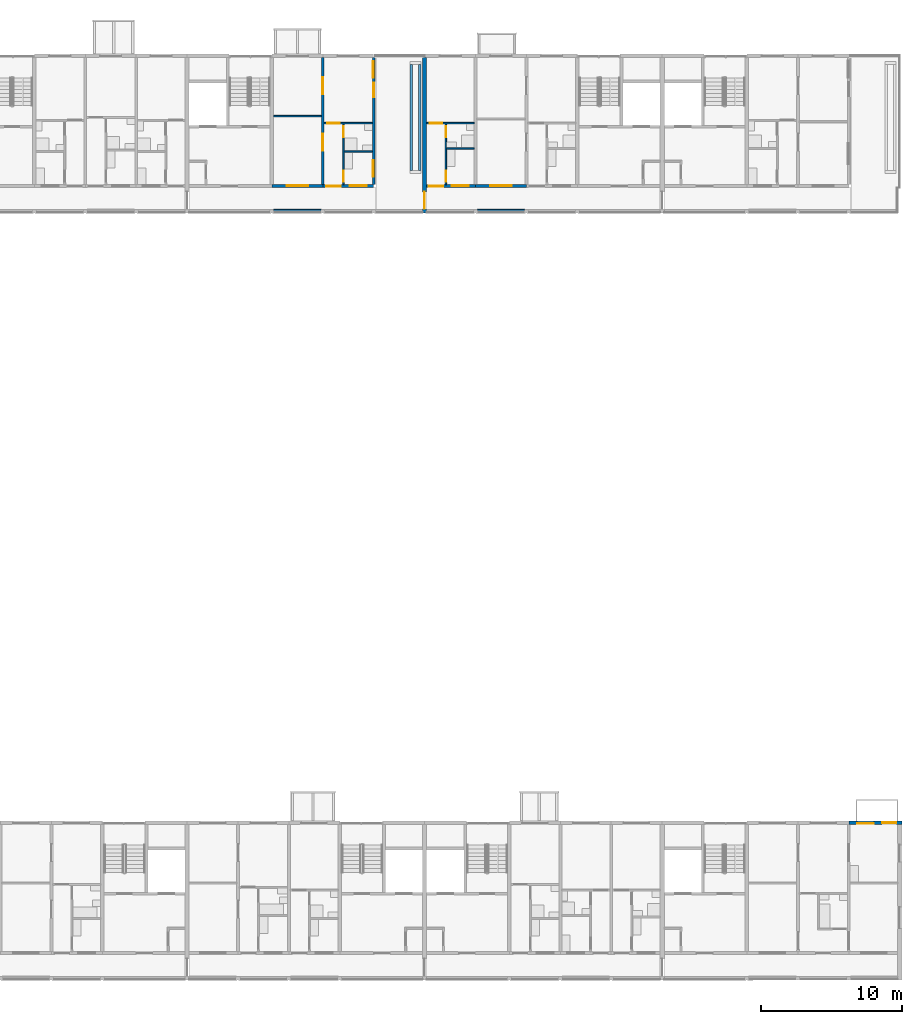
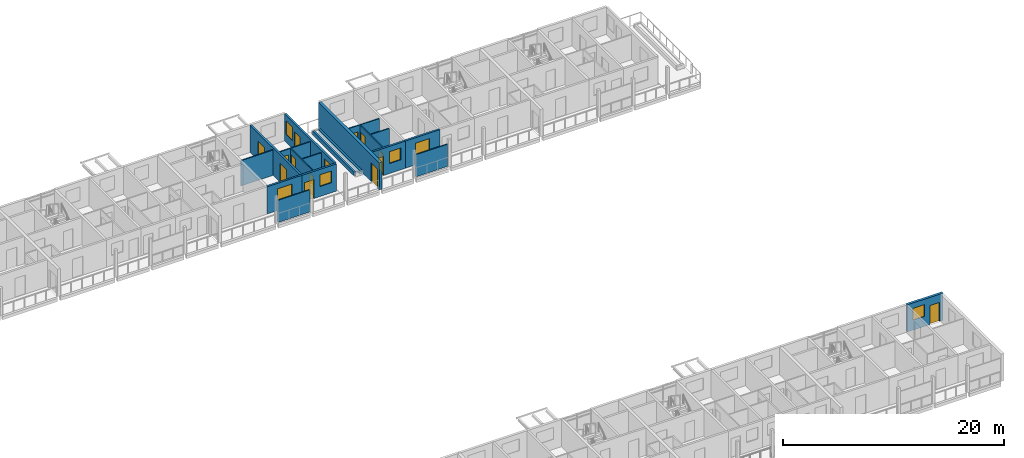
# One storey, part 54 of 94: 19 walls, 13 doors, 7 windows, 20 openings.
"""IFC4 building model written with IfcOpenShell, lengths in metres."""

from ifc_helpers import new_model, si_unit, direction, frame, frame_2d, origin, place, context, subcontext, project, spatial, rectangle, extrude, material, layer, layer_set, type_object, element, fill, save


model = new_model("IFC4")

# Units and contexts
model_context = context("Model", 3, precision=1e-05, world=origin(), true_north=direction((0.0, 1.0)))
body_context = subcontext(model_context, "Body", "Model", "MODEL_VIEW")
ifc_project = project(units=[si_unit("LENGTHUNIT", "METRE"), si_unit("AREAUNIT", "SQUARE_METRE"), si_unit("VOLUMEUNIT", "CUBIC_METRE"), si_unit("PLANEANGLEUNIT", "RADIAN"), si_unit("MASSUNIT", "GRAM", prefix="KILO")], contexts=[model_context])

# Site, building, storey
site_placement = place(None, origin())
site = spatial("IfcSite", under=ifc_project, at=site_placement, CompositionType="ELEMENT")
building_placement = place(site_placement, origin())
building = spatial("IfcBuilding", under=site, at=building_placement, Name="Ridgestep Commons", CompositionType="ELEMENT")
storey_placement = place(building_placement, frame((0.0, 0.0, 21.0)))
storey = spatial("IfcBuildingStorey", under=building, at=storey_placement, Name="L07", CompositionType="ELEMENT", Elevation=21.0)

# Wall, openings, doors
ifc_material_1 = material(Name="Precast concrete C40/50", Category="concrete")
ifc_layer_1 = layer(ifc_material_1, 0.199951171875)
ifc_layer_set_1 = layer_set([ifc_layer_1], Name="Cross wall 200")
wall_type_1 = type_object("IfcWallType", Name="Cross wall 200", PredefinedType="SHEAR", material=ifc_layer_set_1)
wall_1_placement = place(storey_placement, frame((206.800048828125, 68.0, 0.0), z_axis=(0.0, 0.0, 1.0), x_axis=(0.0, 1.0, 0.0)))
wall_1 = element("IfcWall", 1, at=wall_1_placement, inside=storey, type_object=wall_type_1, Name="Cross wall C-07-2068", PredefinedType="SHEAR", context=body_context, shape_type="SweptSolid", body=[
    extrude(rectangle(XDim=9.0, YDim=0.199951171875, at=frame_2d((4.5, 0.0))), origin(), (0.0, 0.0, 1.0), 3.0),
])
opening_1_placement = place(wall_1_placement, frame((2.39990234375, 0.0, 0.0)))
opening_1 = element("IfcOpeningElement", 2, at=opening_1_placement, cuts=wall_1, Name="Opening C4-07a/5", PredefinedType="OPENING", context=body_context, shape_type="SweptSolid", body=[
    extrude(rectangle(XDim=1.199951171875, YDim=2.10009765625, at=frame_2d((0.60009765625, 1.050048828125))), frame((0.0, 0.10986328125, 0.0), z_axis=(0.0, -1.0, 0.0), x_axis=(1.0, 0.0, 0.0)), (0.0, 0.0, 1.0), 0.219970703125),
])
opening_2_placement = place(wall_1_placement, frame((6.39990234375, 0.0, 0.0)))
opening_2 = element("IfcOpeningElement", 3, at=opening_2_placement, cuts=wall_1, Name="Opening C4-07a/6", PredefinedType="OPENING", context=body_context, shape_type="SweptSolid", body=[
    extrude(rectangle(XDim=1.199951171875, YDim=2.10009765625, at=frame_2d((0.60009765625, 1.050048828125))), frame((0.0, 0.10986328125, 0.0), z_axis=(0.0, -1.0, 0.0), x_axis=(1.0, 0.0, 0.0)), (0.0, 0.0, 1.0), 0.219970703125),
])
ifc_material_2 = material(Name="Timber door leaf", Category="wood")
door_type_1 = type_object("IfcDoorType", Name="Double door 1200 x 2100", OperationType="DOUBLE_DOOR_SINGLE_SWING", PredefinedType="DOOR", material=ifc_material_2)
door_1_placement = place(opening_1_placement, origin())
door_1 = element("IfcDoor", 4, at=door_1_placement, inside=storey, type_object=door_type_1, Name="Double door C4-07a/5", OperationType="DOUBLE_DOOR_SINGLE_SWING", OverallHeight=2.10009765625, OverallWidth=1.199951171875, PredefinedType="DOOR", context=body_context, shape_type="SweptSolid", body=[
    extrude(rectangle(XDim=1.199951171875, YDim=2.10009765625, at=frame_2d((0.60009765625, 1.050048828125))), frame((0.0, 0.02490234375, 0.0), z_axis=(0.0, -1.0, 0.0), x_axis=(1.0, 0.0, 0.0)), (0.0, 0.0, 1.0), 0.050048828125),
])
fill(opening_1, door_1)
door_2_placement = place(opening_2_placement, origin())
door_2 = element("IfcDoor", 5, at=door_2_placement, inside=storey, type_object=door_type_1, Name="Double door C4-07a/6", OperationType="DOUBLE_DOOR_SINGLE_SWING", OverallHeight=2.10009765625, OverallWidth=1.199951171875, PredefinedType="DOOR", context=body_context, shape_type="SweptSolid", body=[
    extrude(rectangle(XDim=1.199951171875, YDim=2.10009765625, at=frame_2d((0.60009765625, 1.050048828125))), frame((0.0, 0.02490234375, 0.0), z_axis=(0.0, -1.0, 0.0), x_axis=(1.0, 0.0, 0.0)), (0.0, 0.0, 1.0), 0.050048828125),
])
fill(opening_2, door_2)

# Wall, openings, windows, door
ifc_material_3 = material(Name="Precast concrete C40/50", Category="concrete")
ifc_layer_2 = layer(ifc_material_3, 0.199951171875)
ifc_layer_set_2 = layer_set([ifc_layer_2], Name="Exposed cross wall 200")
wall_type_2 = type_object("IfcWallType", Name="Exposed cross wall 200", PredefinedType="SHEAR", material=ifc_layer_set_2)
wall_2_placement = place(storey_placement, frame((210.39990234375, 68.0, 0.0), z_axis=(0.0, 0.0, 1.0), x_axis=(0.0, 1.0, 0.0)))
wall_2 = element("IfcWall", 6, at=wall_2_placement, inside=storey, type_object=wall_type_2, Name="Cross wall C-07-2104", PredefinedType="SHEAR", context=body_context, shape_type="SweptSolid", body=[
    extrude(rectangle(XDim=9.0, YDim=0.199951171875, at=frame_2d((4.5, 0.0))), origin(), (0.0, 0.0, 1.0), 3.0),
])
opening_3_placement = place(wall_2_placement, frame((0.550048828125, 0.0, 0.89990234375)))
opening_3 = element("IfcOpeningElement", 7, at=opening_3_placement, cuts=wall_2, Name="Opening W10", PredefinedType="OPENING", context=body_context, shape_type="SweptSolid", body=[
    extrude(rectangle(XDim=1.199951171875, YDim=1.5, at=frame_2d((0.60009765625, 0.75))), frame((0.0, 0.10986328125, 0.0), z_axis=(0.0, -1.0, 0.0), x_axis=(1.0, 0.0, 0.0)), (0.0, 0.0, 1.0), 0.219970703125),
])
opening_4_placement = place(wall_2_placement, frame((7.552490234375, 0.0, 0.89990234375)))
opening_4 = element("IfcOpeningElement", 8, at=opening_4_placement, cuts=wall_2, Name="Opening W10", PredefinedType="OPENING", context=body_context, shape_type="SweptSolid", body=[
    extrude(rectangle(XDim=1.199951171875, YDim=1.5, at=frame_2d((0.60009765625, 0.75))), frame((0.0, 0.10986328125, 0.0), z_axis=(0.0, -1.0, 0.0), x_axis=(1.0, 0.0, 0.0)), (0.0, 0.0, 1.0), 0.219970703125),
])
opening_5_placement = place(wall_2_placement, frame((6.205078125, 0.0, 0.0)))
opening_5 = element("IfcOpeningElement", 9, at=opening_5_placement, cuts=wall_2, Name="Opening C4-07a/7", PredefinedType="OPENING", context=body_context, shape_type="SweptSolid", body=[
    extrude(rectangle(XDim=1.0, YDim=2.10009765625, at=frame_2d((0.5, 1.050048828125))), frame((0.0, 0.10986328125, 0.0), z_axis=(0.0, -1.0, 0.0), x_axis=(1.0, 0.0, 0.0)), (0.0, 0.0, 1.0), 0.219970703125),
])
ifc_material_4 = material(Name="Aluminium 6063-T6 and glass", Category="aluminium")
window_type_1 = type_object("IfcWindowType", Name="Flat window 1200 x 1500", PartitioningType="SINGLE_PANEL", PredefinedType="WINDOW", material=ifc_material_4)
window_1_placement = place(opening_3_placement, origin())
window_1 = element("IfcWindow", 10, at=window_1_placement, inside=storey, type_object=window_type_1, Name="Window C4-07a 5", OverallHeight=1.5, OverallWidth=1.199951171875, PartitioningType="SINGLE_PANEL", PredefinedType="WINDOW", context=body_context, shape_type="SweptSolid", body=[
    extrude(rectangle(XDim=1.199951171875, YDim=1.5, at=frame_2d((0.60009765625, 0.75))), frame((0.0, 0.06005859375, 0.0), z_axis=(0.0, -1.0, 0.0), x_axis=(1.0, 0.0, 0.0)), (0.0, 0.0, 1.0), 0.06005859375),
])
fill(opening_3, window_1)
window_2_placement = place(opening_4_placement, origin())
window_2 = element("IfcWindow", 11, at=window_2_placement, inside=storey, type_object=window_type_1, Name="Window C4-07a 6", OverallHeight=1.5, OverallWidth=1.199951171875, PartitioningType="SINGLE_PANEL", PredefinedType="WINDOW", context=body_context, shape_type="SweptSolid", body=[
    extrude(rectangle(XDim=1.199951171875, YDim=1.5, at=frame_2d((0.60009765625, 0.75))), frame((0.0, 0.06005859375, 0.0), z_axis=(0.0, -1.0, 0.0), x_axis=(1.0, 0.0, 0.0)), (0.0, 0.0, 1.0), 0.06005859375),
])
fill(opening_4, window_2)
ifc_material_5 = material(Name="Aluminium and glass", Category="aluminium")
door_type_2 = type_object("IfcDoorType", Name="Terrace door 1000 x 2100", OperationType="NOTDEFINED", PredefinedType="DOOR", material=ifc_material_5)
door_3_placement = place(opening_5_placement, origin())
door_3 = element("IfcDoor", 12, at=door_3_placement, inside=storey, type_object=door_type_2, Name="Terrace door C4-07a/7", OperationType="SINGLE_SWING_LEFT", OverallHeight=2.10009765625, OverallWidth=1.0, PredefinedType="DOOR", context=body_context, shape_type="SweptSolid", body=[
    extrude(rectangle(XDim=1.0, YDim=2.10009765625, at=frame_2d((0.5, 1.050048828125))), frame((0.0, 0.02490234375, 0.0), z_axis=(0.0, -1.0, 0.0), x_axis=(1.0, 0.0, 0.0)), (0.0, 0.0, 1.0), 0.050048828125),
])
fill(opening_5, door_3)

# Wall, opening, door
ifc_material_6 = material(Name="Precast concrete C40/50", Category="concrete")
ifc_layer_3 = layer(ifc_material_6, 0.300048828125)
ifc_layer_set_3 = layer_set([ifc_layer_3], Name="Exposed division wall 300")
wall_type_3 = type_object("IfcWallType", Name="Exposed division wall 300", PredefinedType="SHEAR", material=ifc_layer_set_3)
wall_3_placement = place(storey_placement, frame((214.0, 66.0, 0.0), z_axis=(0.0, 0.0, 1.0), x_axis=(0.0, 1.0, 0.0)))
wall_3 = element("IfcWall", 13, at=wall_3_placement, inside=storey, type_object=wall_type_3, Name="Cross wall C-07-2140", PredefinedType="SHEAR", context=body_context, shape_type="SweptSolid", body=[
    extrude(rectangle(XDim=11.0, YDim=0.300048828125, at=frame_2d((5.5, 0.0))), origin(), (0.0, 0.0, 1.0), 3.0),
])
opening_6_placement = place(wall_3_placement, frame((0.300048828125, 0.0, 0.0)))
opening_6 = element("IfcOpeningElement", 14, at=opening_6_placement, cuts=wall_3, Name="Opening C/07/G2140", PredefinedType="OPENING", context=body_context, shape_type="SweptSolid", body=[
    extrude(rectangle(XDim=1.199951171875, YDim=2.10009765625, at=frame_2d((0.60009765625, 1.050048828125))), frame((0.0, 0.159912109375, 0.0), z_axis=(0.0, -1.0, 0.0), x_axis=(1.0, 0.0, 0.0)), (0.0, 0.0, 1.0), 0.320068359375),
])
ifc_material_7 = material(Name="Steel fire door", Category="steel")
door_type_3 = type_object("IfcDoorType", Name="Division fire door 1200 x 2100 EI 240", OperationType="DOUBLE_DOOR_SINGLE_SWING", PredefinedType="DOOR", material=ifc_material_7)
door_4_placement = place(opening_6_placement, origin())
door_4 = element("IfcDoor", 15, at=door_4_placement, inside=storey, type_object=door_type_3, Name="Division fire door C/07/G2140", OperationType="DOUBLE_DOOR_SINGLE_SWING", OverallHeight=2.10009765625, OverallWidth=1.199951171875, PredefinedType="DOOR", context=body_context, shape_type="SweptSolid", body=[
    extrude(rectangle(XDim=1.199951171875, YDim=2.10009765625, at=frame_2d((0.60009765625, 1.050048828125))), frame((0.0, 0.02490234375, 0.0), z_axis=(0.0, -1.0, 0.0), x_axis=(1.0, 0.0, 0.0)), (0.0, 0.0, 1.0), 0.050048828125),
])
fill(opening_6, door_4)

# Wall, openings, door, window
ifc_material_8 = material(Name="Precast concrete C40/50", Category="concrete")
ifc_layer_4 = layer(ifc_material_8, 0.25)
ifc_layer_set_4 = layer_set([ifc_layer_4], Name="North facade panel 250")
wall_type_4 = type_object("IfcWallType", Name="North facade panel 250", PredefinedType="SOLIDWALL", material=ifc_layer_set_4)
wall_4_placement = place(storey_placement, frame((244.0, 22.875, 0.0), z_axis=(0.0, 0.0, 1.0), x_axis=(1.0, 0.0, 0.0)))
wall_4 = element("IfcWall", 16, at=wall_4_placement, inside=storey, type_object=wall_type_4, Name="North panel D6T1 L07", PredefinedType="SOLIDWALL", context=body_context, shape_type="SweptSolid", body=[
    extrude(rectangle(XDim=3.75, YDim=0.25, at=frame_2d((1.875, 0.0))), origin(), (0.0, 0.0, 1.0), 3.0),
])
opening_7_placement = place(wall_4_placement, frame((0.583984375, 0.0, 1.10009765625)))
opening_7 = element("IfcOpeningElement", 17, at=opening_7_placement, cuts=wall_4, Name="Opening W08", PredefinedType="OPENING", context=body_context, shape_type="SweptSolid", body=[
    extrude(rectangle(XDim=1.199951171875, YDim=1.300048828125, at=frame_2d((0.60009765625, 0.64990234375))), frame((0.0, 0.135009765625, 0.0), z_axis=(0.0, -1.0, 0.0), x_axis=(1.0, 0.0, 0.0)), (0.0, 0.0, 1.0), 0.27001953125),
])
opening_8_placement = place(wall_4_placement, frame((2.367919921875, 0.0, 0.0)))
opening_8 = element("IfcOpeningElement", 18, at=opening_8_placement, cuts=wall_4, Name="Opening D6-07a/8", PredefinedType="OPENING", context=body_context, shape_type="SweptSolid", body=[
    extrude(rectangle(XDim=1.0, YDim=2.10009765625, at=frame_2d((0.5, 1.050048828125))), frame((0.0, 0.135009765625, 0.0), z_axis=(0.0, -1.0, 0.0), x_axis=(1.0, 0.0, 0.0)), (0.0, 0.0, 1.0), 0.27001953125),
])
ifc_material_9 = material(Name="Aluminium and glass", Category="aluminium")
door_type_4 = type_object("IfcDoorType", Name="Balcony door 1000 x 2100", OperationType="NOTDEFINED", PredefinedType="DOOR", material=ifc_material_9)
door_5_placement = place(opening_8_placement, origin())
door_5 = element("IfcDoor", 19, at=door_5_placement, inside=storey, type_object=door_type_4, Name="Balcony door D6-07a/8", OperationType="SINGLE_SWING_LEFT", OverallHeight=2.10009765625, OverallWidth=1.0, PredefinedType="DOOR", context=body_context, shape_type="SweptSolid", body=[
    extrude(rectangle(XDim=1.0, YDim=2.10009765625, at=frame_2d((0.5, 1.050048828125))), frame((0.0, 0.02490234375, 0.0), z_axis=(0.0, -1.0, 0.0), x_axis=(1.0, 0.0, 0.0)), (0.0, 0.0, 1.0), 0.050048828125),
])
fill(opening_8, door_5)
ifc_material_10 = material(Name="Aluminium 6063-T6 and glass", Category="aluminium")
window_type_2 = type_object("IfcWindowType", Name="Flat window 1200 x 1300", PartitioningType="SINGLE_PANEL", PredefinedType="WINDOW", material=ifc_material_10)
window_3_placement = place(opening_7_placement, origin())
window_3 = element("IfcWindow", 20, at=window_3_placement, inside=storey, type_object=window_type_2, Name="Window D6-07a 4", OverallHeight=1.300048828125, OverallWidth=1.199951171875, PartitioningType="SINGLE_PANEL", PredefinedType="WINDOW", context=body_context, shape_type="SweptSolid", body=[
    extrude(rectangle(XDim=1.199951171875, YDim=1.300048828125, at=frame_2d((0.60009765625, 0.64990234375))), frame((0.0, -0.02490234375, 0.0), z_axis=(0.0, -1.0, 0.0), x_axis=(1.0, 0.0, 0.0)), (0.0, 0.0, 1.0), 0.06005859375),
])
fill(opening_7, window_3)

# Wall, openings, doors
ifc_material_11 = material(Name="Common brick 110 mm", Category="masonry")
ifc_layer_5 = layer(ifc_material_11, 0.110107421875)
ifc_layer_set_5 = layer_set([ifc_layer_5], Name="Partition 110")
wall_type_5 = type_object("IfcWallType", Name="Partition 110", PredefinedType="PARTITIONING", material=ifc_layer_set_5)
wall_5_placement = place(storey_placement, frame((208.2548828125, 68.0, 0.0), z_axis=(0.0, 0.0, 1.0), x_axis=(0.0, 1.0, 0.0)))
wall_5 = element("IfcWall", 21, at=wall_5_placement, inside=storey, type_object=wall_type_5, Name="Partition C4-07a", PredefinedType="PARTITIONING", context=body_context, shape_type="SweptSolid", body=[
    extrude(rectangle(XDim=4.300048828125, YDim=0.110107421875, at=frame_2d((2.14990234375, 0.0))), origin(), (0.0, 0.0, 1.0), 2.75),
])
opening_9_placement = place(wall_5_placement, frame((0.199951171875, 0.0, 0.0)))
opening_9 = element("IfcOpeningElement", 22, at=opening_9_placement, cuts=wall_5, Name="Opening C4-07a/2", PredefinedType="OPENING", context=body_context, shape_type="SweptSolid", body=[
    extrude(rectangle(XDim=0.800048828125, YDim=2.10009765625, at=frame_2d((0.39990234375, 1.050048828125))), frame((0.0, 0.06494140625, 0.0), z_axis=(0.0, -1.0, 0.0), x_axis=(1.0, 0.0, 0.0)), (0.0, 0.0, 1.0), 0.130126953125),
])
opening_10_placement = place(wall_5_placement, frame((3.35009765625, 0.0, 0.0)))
opening_10 = element("IfcOpeningElement", 23, at=opening_10_placement, cuts=wall_5, Name="Opening C4-07a/3", PredefinedType="OPENING", context=body_context, shape_type="SweptSolid", body=[
    extrude(rectangle(XDim=0.800048828125, YDim=2.10009765625, at=frame_2d((0.39990234375, 1.050048828125))), frame((0.0, 0.06494140625, 0.0), z_axis=(0.0, -1.0, 0.0), x_axis=(1.0, 0.0, 0.0)), (0.0, 0.0, 1.0), 0.130126953125),
])
ifc_material_12 = material(Name="Timber door leaf", Category="wood")
door_type_5 = type_object("IfcDoorType", Name="Internal door 800 x 2100", OperationType="NOTDEFINED", PredefinedType="DOOR", material=ifc_material_12)
door_6_placement = place(opening_9_placement, origin())
door_6 = element("IfcDoor", 24, at=door_6_placement, inside=storey, type_object=door_type_5, Name="Internal door C4-07a/2", OperationType="SINGLE_SWING_RIGHT", OverallHeight=2.10009765625, OverallWidth=0.800048828125, PredefinedType="DOOR", context=body_context, shape_type="SweptSolid", body=[
    extrude(rectangle(XDim=0.800048828125, YDim=2.10009765625, at=frame_2d((0.39990234375, 1.050048828125))), frame((0.0, 0.02490234375, 0.0), z_axis=(0.0, -1.0, 0.0), x_axis=(1.0, 0.0, 0.0)), (0.0, 0.0, 1.0), 0.050048828125),
])
fill(opening_9, door_6)
door_7_placement = place(opening_10_placement, origin())
door_7 = element("IfcDoor", 25, at=door_7_placement, inside=storey, type_object=door_type_5, Name="Internal door C4-07a/3", OperationType="SINGLE_SWING_LEFT", OverallHeight=2.10009765625, OverallWidth=0.800048828125, PredefinedType="DOOR", context=body_context, shape_type="SweptSolid", body=[
    extrude(rectangle(XDim=0.800048828125, YDim=2.10009765625, at=frame_2d((0.39990234375, 1.050048828125))), frame((0.0, 0.02490234375, 0.0), z_axis=(0.0, -1.0, 0.0), x_axis=(1.0, 0.0, 0.0)), (0.0, 0.0, 1.0), 0.050048828125),
])
fill(opening_10, door_7)

# Wall
wall_6_placement = place(storey_placement, frame((208.31005859375, 70.35498046875, 0.0), z_axis=(0.0, 0.0, 1.0), x_axis=(1.0, 0.0, 0.0)))
element("IfcWall", 26, at=wall_6_placement, inside=storey, type_object=wall_type_5, Name="Partition C4-07a", PredefinedType="PARTITIONING", context=body_context, shape_type="SweptSolid", body=[
    extrude(rectangle(XDim=1.989990234375, YDim=0.110107421875, at=frame_2d((0.9951171875, 0.0))), origin(), (0.0, 0.0, 1.0), 2.75),
])

# Wall, opening, door
wall_7_placement = place(storey_placement, frame((206.89990234375, 72.35498046875, 0.0), z_axis=(0.0, 0.0, 1.0), x_axis=(1.0, 0.0, 0.0)))
wall_7 = element("IfcWall", 27, at=wall_7_placement, inside=storey, type_object=wall_type_5, Name="Partition C4-07a", PredefinedType="PARTITIONING", context=body_context, shape_type="SweptSolid", body=[
    extrude(rectangle(XDim=3.400146484375, YDim=0.110107421875, at=frame_2d((1.7001953125, 0.0))), origin(), (0.0, 0.0, 1.0), 2.75),
])
opening_11_placement = place(wall_7_placement, frame((0.199951171875, 0.0, 0.0)))
opening_11 = element("IfcOpeningElement", 28, at=opening_11_placement, cuts=wall_7, Name="Opening C4-07a/4", PredefinedType="OPENING", context=body_context, shape_type="SweptSolid", body=[
    extrude(rectangle(XDim=0.89990234375, YDim=2.10009765625, at=frame_2d((0.449951171875, 1.050048828125))), frame((0.0, 0.06494140625, 0.0), z_axis=(0.0, -1.0, 0.0), x_axis=(1.0, 0.0, 0.0)), (0.0, 0.0, 1.0), 0.130126953125),
])
ifc_material_13 = material(Name="Timber door leaf", Category="wood")
door_type_6 = type_object("IfcDoorType", Name="Internal door 900 x 2100", OperationType="NOTDEFINED", PredefinedType="DOOR", material=ifc_material_13)
door_8_placement = place(opening_11_placement, origin())
door_8 = element("IfcDoor", 29, at=door_8_placement, inside=storey, type_object=door_type_6, Name="Internal door C4-07a/4", OperationType="SINGLE_SWING_LEFT", OverallHeight=2.10009765625, OverallWidth=0.89990234375, PredefinedType="DOOR", context=body_context, shape_type="SweptSolid", body=[
    extrude(rectangle(XDim=0.89990234375, YDim=2.10009765625, at=frame_2d((0.449951171875, 1.050048828125))), frame((0.0, 0.02490234375, 0.0), z_axis=(0.0, -1.0, 0.0), x_axis=(1.0, 0.0, 0.0)), (0.0, 0.0, 1.0), 0.050048828125),
])
fill(opening_11, door_8)

# Wall
wall_8_placement = place(storey_placement, frame((203.324951171875, 72.85498046875, 0.0), z_axis=(0.0, 0.0, 1.0), x_axis=(1.0, 0.0, 0.0)))
element("IfcWall", 30, at=wall_8_placement, inside=storey, type_object=wall_type_5, Name="Partition C4-07a", PredefinedType="PARTITIONING", context=body_context, shape_type="SweptSolid", body=[
    extrude(rectangle(XDim=3.375, YDim=0.110107421875, at=frame_2d((1.6875, 0.0))), origin(), (0.0, 0.0, 1.0), 2.800048828125),
])

# Wall, openings, doors
wall_9_placement = place(storey_placement, frame((215.5048828125, 68.0, 0.0), z_axis=(0.0, 0.0, 1.0), x_axis=(0.0, 1.0, 0.0)))
wall_9 = element("IfcWall", 31, at=wall_9_placement, inside=storey, type_object=wall_type_5, Name="Partition C5-07a", PredefinedType="PARTITIONING", context=body_context, shape_type="SweptSolid", body=[
    extrude(rectangle(XDim=4.300048828125, YDim=0.110107421875, at=frame_2d((2.14990234375, 0.0))), origin(), (0.0, 0.0, 1.0), 2.800048828125),
])
opening_12_placement = place(wall_9_placement, frame((0.199951171875, 0.0, 0.0)))
opening_12 = element("IfcOpeningElement", 32, at=opening_12_placement, cuts=wall_9, Name="Opening C5-07a/2", PredefinedType="OPENING", context=body_context, shape_type="SweptSolid", body=[
    extrude(rectangle(XDim=0.800048828125, YDim=2.10009765625, at=frame_2d((0.39990234375, 1.050048828125))), frame((0.0, 0.06494140625, 0.0), z_axis=(0.0, -1.0, 0.0), x_axis=(1.0, 0.0, 0.0)), (0.0, 0.0, 1.0), 0.130126953125),
])
opening_13_placement = place(wall_9_placement, frame((3.35009765625, 0.0, 0.0)))
opening_13 = element("IfcOpeningElement", 33, at=opening_13_placement, cuts=wall_9, Name="Opening C5-07a/3", PredefinedType="OPENING", context=body_context, shape_type="SweptSolid", body=[
    extrude(rectangle(XDim=0.800048828125, YDim=2.10009765625, at=frame_2d((0.39990234375, 1.050048828125))), frame((0.0, 0.06494140625, 0.0), z_axis=(0.0, -1.0, 0.0), x_axis=(1.0, 0.0, 0.0)), (0.0, 0.0, 1.0), 0.130126953125),
])
door_9_placement = place(opening_12_placement, origin())
door_9 = element("IfcDoor", 34, at=door_9_placement, inside=storey, type_object=door_type_5, Name="Internal door C5-07a/2", OperationType="SINGLE_SWING_RIGHT", OverallHeight=2.10009765625, OverallWidth=0.800048828125, PredefinedType="DOOR", context=body_context, shape_type="SweptSolid", body=[
    extrude(rectangle(XDim=0.800048828125, YDim=2.10009765625, at=frame_2d((0.39990234375, 1.050048828125))), frame((0.0, 0.02490234375, 0.0), z_axis=(0.0, -1.0, 0.0), x_axis=(1.0, 0.0, 0.0)), (0.0, 0.0, 1.0), 0.050048828125),
])
fill(opening_12, door_9)
door_10_placement = place(opening_13_placement, origin())
door_10 = element("IfcDoor", 35, at=door_10_placement, inside=storey, type_object=door_type_5, Name="Internal door C5-07a/3", OperationType="SINGLE_SWING_LEFT", OverallHeight=2.10009765625, OverallWidth=0.800048828125, PredefinedType="DOOR", context=body_context, shape_type="SweptSolid", body=[
    extrude(rectangle(XDim=0.800048828125, YDim=2.10009765625, at=frame_2d((0.39990234375, 1.050048828125))), frame((0.0, 0.02490234375, 0.0), z_axis=(0.0, -1.0, 0.0), x_axis=(1.0, 0.0, 0.0)), (0.0, 0.0, 1.0), 0.050048828125),
])
fill(opening_13, door_10)

# Wall
wall_10_placement = place(storey_placement, frame((215.56005859375, 70.554931640625, 0.0), z_axis=(0.0, 0.0, 1.0), x_axis=(1.0, 0.0, 0.0)))
element("IfcWall", 36, at=wall_10_placement, inside=storey, type_object=wall_type_5, Name="Partition C5-07a", PredefinedType="PARTITIONING", context=body_context, shape_type="SweptSolid", body=[
    extrude(rectangle(XDim=1.93994140625, YDim=0.110107421875, at=frame_2d((0.969970703125, 0.0))), origin(), (0.0, 0.0, 1.0), 2.800048828125),
])

# Wall, opening, door
wall_11_placement = place(storey_placement, frame((214.14990234375, 72.35498046875, 0.0), z_axis=(0.0, 0.0, 1.0), x_axis=(1.0, 0.0, 0.0)))
wall_11 = element("IfcWall", 37, at=wall_11_placement, inside=storey, type_object=wall_type_5, Name="Partition C5-07a", PredefinedType="PARTITIONING", context=body_context, shape_type="SweptSolid", body=[
    extrude(rectangle(XDim=3.35009765625, YDim=0.110107421875, at=frame_2d((1.675048828125, 0.0))), origin(), (0.0, 0.0, 1.0), 2.800048828125),
])
opening_14_placement = place(wall_11_placement, frame((0.199951171875, 0.0, 0.0)))
opening_14 = element("IfcOpeningElement", 38, at=opening_14_placement, cuts=wall_11, Name="Opening C5-07a/4", PredefinedType="OPENING", context=body_context, shape_type="SweptSolid", body=[
    extrude(rectangle(XDim=0.89990234375, YDim=2.10009765625, at=frame_2d((0.449951171875, 1.050048828125))), frame((0.0, 0.06494140625, 0.0), z_axis=(0.0, -1.0, 0.0), x_axis=(1.0, 0.0, 0.0)), (0.0, 0.0, 1.0), 0.130126953125),
])
door_11_placement = place(opening_14_placement, origin())
door_11 = element("IfcDoor", 39, at=door_11_placement, inside=storey, type_object=door_type_6, Name="Internal door C5-07a/4", OperationType="SINGLE_SWING_LEFT", OverallHeight=2.10009765625, OverallWidth=0.89990234375, PredefinedType="DOOR", context=body_context, shape_type="SweptSolid", body=[
    extrude(rectangle(XDim=0.89990234375, YDim=2.10009765625, at=frame_2d((0.449951171875, 1.050048828125))), frame((0.0, 0.02490234375, 0.0), z_axis=(0.0, -1.0, 0.0), x_axis=(1.0, 0.0, 0.0)), (0.0, 0.0, 1.0), 0.050048828125),
])
fill(opening_14, door_11)

# Walls
ifc_material_14 = material(Name="Precast concrete C30/37", Category="concrete")
ifc_layer_6 = layer(ifc_material_14, 0.10009765625)
ifc_layer_set_6 = layer_set([ifc_layer_6], Name="Perforated gallery screen 3350 x 2450 x 100")
wall_type_6 = type_object("IfcWallType", Name="Perforated gallery screen 3350 x 2450 x 100", PredefinedType="SOLIDWALL", material=ifc_layer_set_6)
wall_12_placement = place(storey_placement, frame((203.324951171875, 66.199951171875, 0.0), z_axis=(0.0, 0.0, 1.0), x_axis=(1.0, 0.0, 0.0)))
element("IfcWall", 40, at=wall_12_placement, inside=storey, type_object=wall_type_6, Name="Gallery screen C4T3 07", PredefinedType="SOLIDWALL", context=body_context, shape_type="SweptSolid", body=[
    extrude(rectangle(XDim=3.35009765625, YDim=0.10009765625, at=frame_2d((1.675048828125, 0.0))), origin(), (0.0, 0.0, 1.0), 2.449951171875),
])
wall_13_placement = place(storey_placement, frame((217.72509765625, 66.199951171875, 0.0), z_axis=(0.0, 0.0, 1.0), x_axis=(1.0, 0.0, 0.0)))
element("IfcWall", 41, at=wall_13_placement, inside=storey, type_object=wall_type_6, Name="Gallery screen C5T2 07", PredefinedType="SOLIDWALL", context=body_context, shape_type="SweptSolid", body=[
    extrude(rectangle(XDim=3.349853515625, YDim=0.10009765625, at=frame_2d((1.6748046875, 0.0))), origin(), (0.0, 0.0, 1.0), 2.449951171875),
])
ifc_material_15 = material(Name="Facing brick", Category="masonry")
ifc_layer_7 = layer(ifc_material_15, 0.199951171875)
ifc_layer_set_7 = layer_set([ifc_layer_7], Name="Planter wall 200")
wall_type_7 = type_object("IfcWallType", Name="Planter wall 200", PredefinedType="SOLIDWALL", material=ifc_layer_set_7)
for number, where, z_axis, x_axis, name in (
    (42, (213.050048828125, 69.0, 0.010009765625), (0.0, 0.0, 1.0), (0.0, 1.0, 0.0), "Planter wall C4R1W"),
    (43, (213.64990234375, 69.0, 0.010009765625), (0.0, 0.0, 1.0), (0.0, 1.0, 0.0), "Planter wall C4R1E"),
):
    element("IfcWall", number, at=place(storey_placement, frame(where, z_axis=z_axis, x_axis=x_axis)), inside=storey, type_object=wall_type_7, Name=name, PredefinedType="SOLIDWALL", context=body_context, shape_type="SweptSolid", body=[
        extrude(rectangle(XDim=7.5, YDim=0.199951171875, at=frame_2d((3.75, 0.0))), origin(), (0.0, 0.0, 1.0), 0.449951171875),
    ])

# Wall, opening, window
ifc_material_16 = material(Name="Precast concrete C40/50", Category="concrete")
ifc_layer_8 = layer(ifc_material_16, 0.199951171875)
ifc_layer_set_8 = layer_set([ifc_layer_8], Name="South facade panel 200")
wall_type_8 = type_object("IfcWallType", Name="South facade panel 200", PredefinedType="SOLIDWALL", material=ifc_layer_set_8)
wall_14_placement = place(storey_placement, frame((203.199951171875, 67.89990234375, 0.0), z_axis=(0.0, 0.0, 1.0), x_axis=(1.0, 0.0, 0.0)))
wall_14 = element("IfcWall", 44, at=wall_14_placement, inside=storey, type_object=wall_type_8, Name="South panel C4T3 L07", PredefinedType="SOLIDWALL", context=body_context, shape_type="SweptSolid", body=[
    extrude(rectangle(XDim=3.60009765625, YDim=0.199951171875, at=frame_2d((1.800048828125, 0.0))), origin(), (0.0, 0.0, 1.0), 3.0),
])
opening_15_placement = place(wall_14_placement, frame((1.0625, 0.0, 0.89990234375)))
opening_15 = element("IfcOpeningElement", 45, at=opening_15_placement, cuts=wall_14, Name="Opening W16", PredefinedType="OPENING", context=body_context, shape_type="SweptSolid", body=[
    extrude(rectangle(XDim=1.5, YDim=1.5, at=frame_2d((0.75, 0.75))), frame((0.0, 0.10986328125, 0.0), z_axis=(0.0, -1.0, 0.0), x_axis=(1.0, 0.0, 0.0)), (0.0, 0.0, 1.0), 0.219970703125),
])
ifc_material_17 = material(Name="Aluminium 6063-T6 and glass", Category="aluminium")
window_type_3 = type_object("IfcWindowType", Name="Flat window 1500 x 1500", PartitioningType="DOUBLE_PANEL_VERTICAL", PredefinedType="WINDOW", material=ifc_material_17)
window_4_placement = place(opening_15_placement, origin())
window_4 = element("IfcWindow", 46, at=window_4_placement, inside=storey, type_object=window_type_3, Name="Window C4-07a 1", OverallHeight=1.5, OverallWidth=1.5, PartitioningType="SINGLE_PANEL", PredefinedType="WINDOW", context=body_context, shape_type="SweptSolid", body=[
    extrude(rectangle(XDim=1.5, YDim=1.5, at=frame_2d((0.75, 0.75))), frame((0.0, 0.06005859375, 0.0), z_axis=(0.0, -1.0, 0.0), x_axis=(1.0, 0.0, 0.0)), (0.0, 0.0, 1.0), 0.06005859375),
])
fill(opening_15, window_4)

# Wall, openings, door, window
wall_15_placement = place(storey_placement, frame((206.800048828125, 67.89990234375, 0.0), z_axis=(0.0, 0.0, 1.0), x_axis=(1.0, 0.0, 0.0)))
wall_15 = element("IfcWall", 47, at=wall_15_placement, inside=storey, type_object=wall_type_8, Name="South panel C4T2 L07", PredefinedType="SOLIDWALL", context=body_context, shape_type="SweptSolid", body=[
    extrude(rectangle(XDim=3.599853515625, YDim=0.199951171875, at=frame_2d((1.7998046875, 0.0))), origin(), (0.0, 0.0, 1.0), 3.0),
])
opening_16_placement = place(wall_15_placement, frame((1.905029296875, 0.0, 1.10009765625)))
opening_16 = element("IfcOpeningElement", 48, at=opening_16_placement, cuts=wall_15, Name="Opening W08", PredefinedType="OPENING", context=body_context, shape_type="SweptSolid", body=[
    extrude(rectangle(XDim=1.199951171875, YDim=1.300048828125, at=frame_2d((0.60009765625, 0.64990234375))), frame((0.0, 0.10986328125, 0.0), z_axis=(0.0, -1.0, 0.0), x_axis=(1.0, 0.0, 0.0)), (0.0, 0.0, 1.0), 0.219970703125),
])
opening_17_placement = place(wall_15_placement, frame((0.25, 0.0, 0.0)))
opening_17 = element("IfcOpeningElement", 49, at=opening_17_placement, cuts=wall_15, Name="Opening C4-07a/1", PredefinedType="OPENING", context=body_context, shape_type="SweptSolid", body=[
    extrude(rectangle(XDim=1.0, YDim=2.10009765625, at=frame_2d((0.5, 1.050048828125))), frame((0.0, 0.10986328125, 0.0), z_axis=(0.0, -1.0, 0.0), x_axis=(1.0, 0.0, 0.0)), (0.0, 0.0, 1.0), 0.219970703125),
])
ifc_material_18 = material(Name="Timber door leaf", Category="wood")
door_type_7 = type_object("IfcDoorType", Name="Flat entrance door 1000 x 2100 FD30S", OperationType="NOTDEFINED", PredefinedType="DOOR", material=ifc_material_18)
door_12_placement = place(opening_17_placement, origin())
door_12 = element("IfcDoor", 50, at=door_12_placement, inside=storey, type_object=door_type_7, Name="Flat entrance door C4-07a/1", OperationType="SINGLE_SWING_LEFT", OverallHeight=2.10009765625, OverallWidth=1.0, PredefinedType="DOOR", context=body_context, shape_type="SweptSolid", body=[
    extrude(rectangle(XDim=1.0, YDim=2.10009765625, at=frame_2d((0.5, 1.050048828125))), frame((0.0, 0.02490234375, 0.0), z_axis=(0.0, -1.0, 0.0), x_axis=(1.0, 0.0, 0.0)), (0.0, 0.0, 1.0), 0.050048828125),
])
fill(opening_17, door_12)
window_5_placement = place(opening_16_placement, origin())
window_5 = element("IfcWindow", 51, at=window_5_placement, inside=storey, type_object=window_type_2, Name="Window C4-07a 3", OverallHeight=1.300048828125, OverallWidth=1.199951171875, PartitioningType="SINGLE_PANEL", PredefinedType="WINDOW", context=body_context, shape_type="SweptSolid", body=[
    extrude(rectangle(XDim=1.199951171875, YDim=1.300048828125, at=frame_2d((0.60009765625, 0.64990234375))), frame((0.0, 0.06005859375, 0.0), z_axis=(0.0, -1.0, 0.0), x_axis=(1.0, 0.0, 0.0)), (0.0, 0.0, 1.0), 0.06005859375),
])
fill(opening_16, window_5)

wall_16_placement = place(storey_placement, frame((214.14990234375, 67.89990234375, 0.0), z_axis=(0.0, 0.0, 1.0), x_axis=(1.0, 0.0, 0.0)))
wall_16 = element("IfcWall", 52, at=wall_16_placement, inside=storey, type_object=wall_type_8, Name="South panel C5T1 L07", PredefinedType="SOLIDWALL", context=body_context, shape_type="SweptSolid", body=[
    extrude(rectangle(XDim=3.4501953125, YDim=0.199951171875, at=frame_2d((1.72509765625, 0.0))), origin(), (0.0, 0.0, 1.0), 3.0),
])
opening_18_placement = place(wall_16_placement, frame((1.780029296875, 0.0, 1.10009765625)))
opening_18 = element("IfcOpeningElement", 53, at=opening_18_placement, cuts=wall_16, Name="Opening W08", PredefinedType="OPENING", context=body_context, shape_type="SweptSolid", body=[
    extrude(rectangle(XDim=1.199951171875, YDim=1.300048828125, at=frame_2d((0.60009765625, 0.64990234375))), frame((0.0, 0.10986328125, 0.0), z_axis=(0.0, -1.0, 0.0), x_axis=(1.0, 0.0, 0.0)), (0.0, 0.0, 1.0), 0.219970703125),
])
opening_19_placement = place(wall_16_placement, frame((0.14990234375, 0.0, 0.0)))
opening_19 = element("IfcOpeningElement", 54, at=opening_19_placement, cuts=wall_16, Name="Opening C5-07a/1", PredefinedType="OPENING", context=body_context, shape_type="SweptSolid", body=[
    extrude(rectangle(XDim=1.0, YDim=2.10009765625, at=frame_2d((0.5, 1.050048828125))), frame((0.0, 0.10986328125, 0.0), z_axis=(0.0, -1.0, 0.0), x_axis=(1.0, 0.0, 0.0)), (0.0, 0.0, 1.0), 0.219970703125),
])
door_13_placement = place(opening_19_placement, origin())
door_13 = element("IfcDoor", 55, at=door_13_placement, inside=storey, type_object=door_type_7, Name="Flat entrance door C5-07a/1", OperationType="SINGLE_SWING_LEFT", OverallHeight=2.10009765625, OverallWidth=1.0, PredefinedType="DOOR", context=body_context, shape_type="SweptSolid", body=[
    extrude(rectangle(XDim=1.0, YDim=2.10009765625, at=frame_2d((0.5, 1.050048828125))), frame((0.0, 0.02490234375, 0.0), z_axis=(0.0, -1.0, 0.0), x_axis=(1.0, 0.0, 0.0)), (0.0, 0.0, 1.0), 0.050048828125),
])
fill(opening_19, door_13)
window_6_placement = place(opening_18_placement, origin())
window_6 = element("IfcWindow", 56, at=window_6_placement, inside=storey, type_object=window_type_2, Name="Window C5-07a 1", OverallHeight=1.300048828125, OverallWidth=1.199951171875, PartitioningType="SINGLE_PANEL", PredefinedType="WINDOW", context=body_context, shape_type="SweptSolid", body=[
    extrude(rectangle(XDim=1.199951171875, YDim=1.300048828125, at=frame_2d((0.60009765625, 0.64990234375))), frame((0.0, 0.06005859375, 0.0), z_axis=(0.0, -1.0, 0.0), x_axis=(1.0, 0.0, 0.0)), (0.0, 0.0, 1.0), 0.06005859375),
])
fill(opening_18, window_6)

# Wall, opening, window
wall_17_placement = place(storey_placement, frame((217.60009765625, 67.89990234375, 0.0), z_axis=(0.0, 0.0, 1.0), x_axis=(1.0, 0.0, 0.0)))
wall_17 = element("IfcWall", 57, at=wall_17_placement, inside=storey, type_object=wall_type_8, Name="South panel C5T2 L07", PredefinedType="SOLIDWALL", context=body_context, shape_type="SweptSolid", body=[
    extrude(rectangle(XDim=3.599853515625, YDim=0.199951171875, at=frame_2d((1.7998046875, 0.0))), origin(), (0.0, 0.0, 1.0), 3.0),
])
opening_20_placement = place(wall_17_placement, frame((1.050048828125, 0.0, 0.89990234375)))
opening_20 = element("IfcOpeningElement", 58, at=opening_20_placement, cuts=wall_17, Name="Opening W16", PredefinedType="OPENING", context=body_context, shape_type="SweptSolid", body=[
    extrude(rectangle(XDim=1.5, YDim=1.5, at=frame_2d((0.75, 0.75))), frame((0.0, 0.10986328125, 0.0), z_axis=(0.0, -1.0, 0.0), x_axis=(1.0, 0.0, 0.0)), (0.0, 0.0, 1.0), 0.219970703125),
])
window_7_placement = place(opening_20_placement, origin())
window_7 = element("IfcWindow", 59, at=window_7_placement, inside=storey, type_object=window_type_3, Name="Window C5-07b 1", OverallHeight=1.5, OverallWidth=1.5, PartitioningType="SINGLE_PANEL", PredefinedType="WINDOW", context=body_context, shape_type="SweptSolid", body=[
    extrude(rectangle(XDim=1.5, YDim=1.5, at=frame_2d((0.75, 0.75))), frame((0.0, 0.06005859375, 0.0), z_axis=(0.0, -1.0, 0.0), x_axis=(1.0, 0.0, 0.0)), (0.0, 0.0, 1.0), 0.06005859375),
])
fill(opening_20, window_7)

save(model, "model.ifc")
